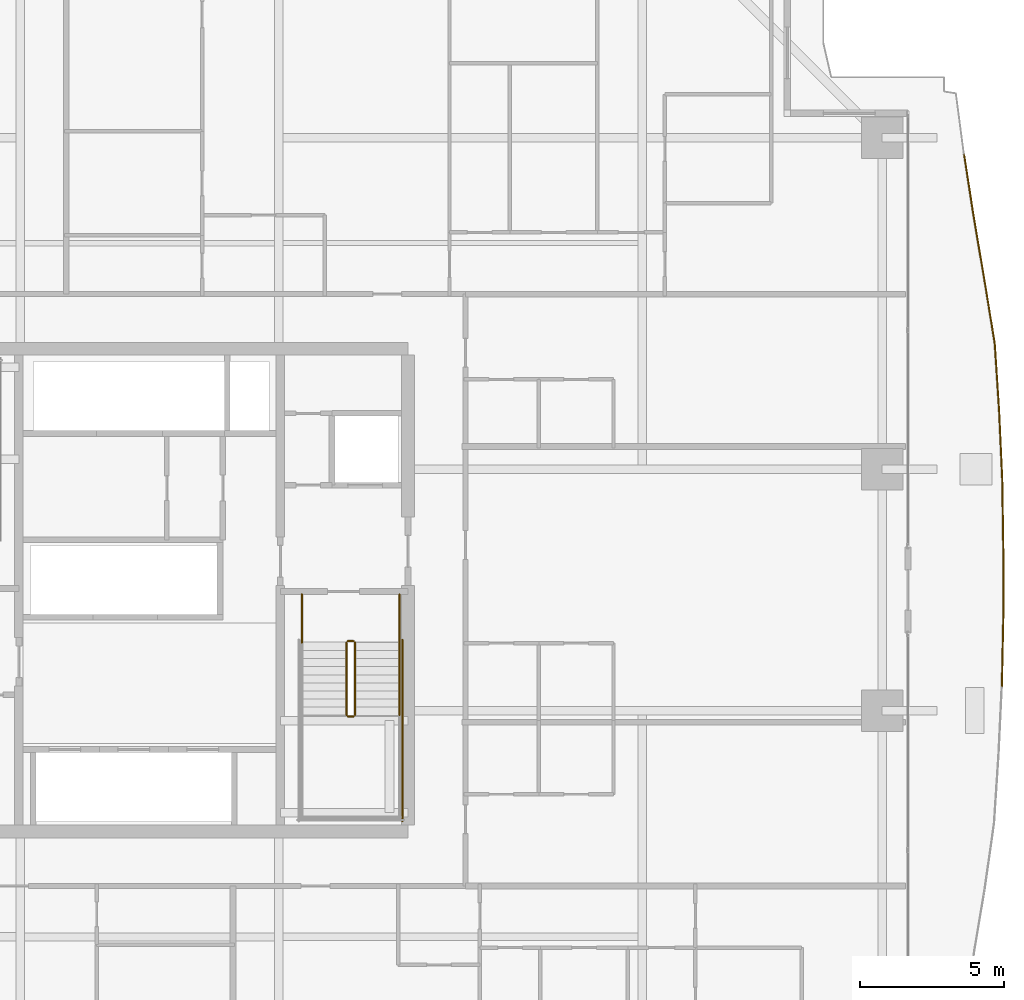
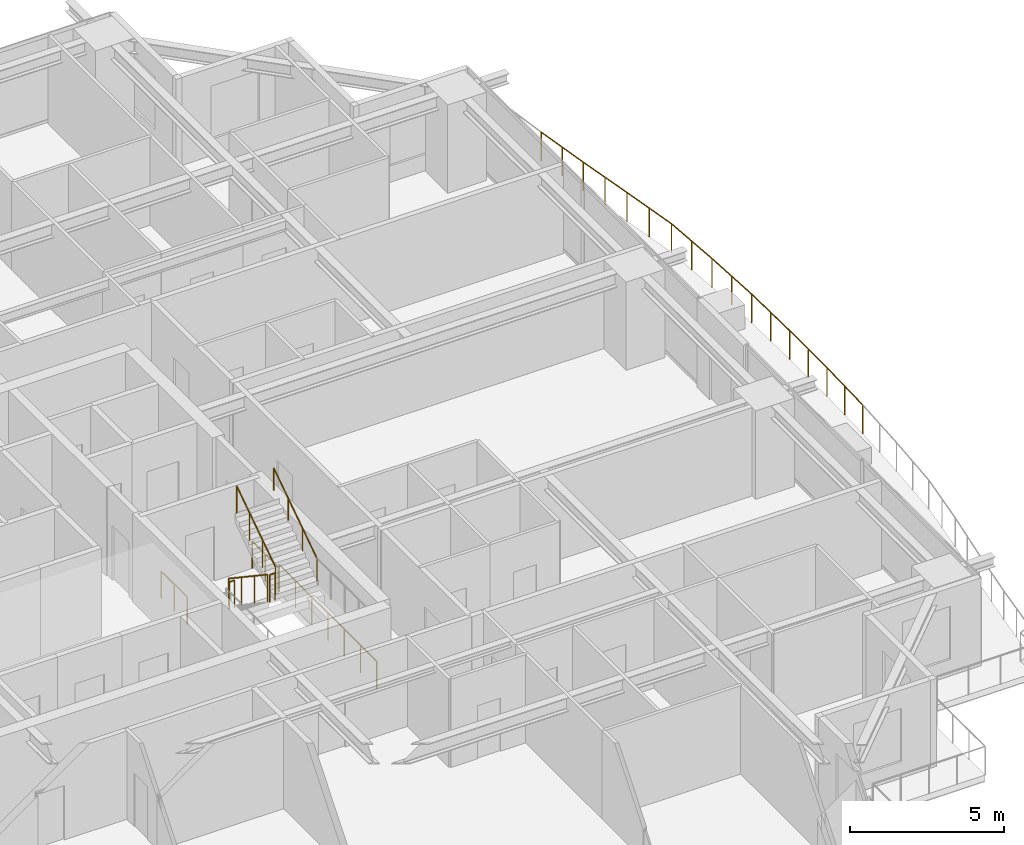
# One storey, part 37 of 38: 9 railings.
"""IFC4 building model written with IfcOpenShell, lengths in metres."""

from ifc_helpers import new_model, si_unit, direction, frame, origin, origin_2d, place, context, subcontext, project, spatial, circle, extrude, material, type_object, element, save


model = new_model("IFC4")

# Units and contexts
model_context = context("Model", 3, precision=1e-05, world=origin(), true_north=direction((0.0, 1.0)))
body_context = subcontext(model_context, "Body", "Model", "MODEL_VIEW")
ifc_project = project(units=[si_unit("LENGTHUNIT", "METRE"), si_unit("AREAUNIT", "SQUARE_METRE"), si_unit("VOLUMEUNIT", "CUBIC_METRE"), si_unit("PLANEANGLEUNIT", "RADIAN"), si_unit("MASSUNIT", "GRAM", prefix="KILO")], contexts=[model_context])

# Site, building, storey
site_placement = place(None, origin())
site = spatial("IfcSite", under=ifc_project, at=site_placement, CompositionType="ELEMENT")
building_placement = place(site_placement, origin())
building = spatial("IfcBuilding", under=site, at=building_placement, Name="Serunith Strait Residences", CompositionType="ELEMENT")
storey_placement = place(building_placement, frame((0.0, 0.0, 82.949951171875)))
storey = spatial("IfcBuildingStorey", under=building, at=storey_placement, Name="L20", CompositionType="ELEMENT", Elevation=82.949951171875)

# Railings
ifc_material_1 = material(Name="Stainless Steel & Laminated Glass Balustrade", Category="steel")
railing_type_1 = type_object("IfcRailingType", Name="RLG-BALC-1150", PredefinedType="BALUSTRADE", material=ifc_material_1)
railing_1_placement = place(storey_placement, frame((60.75390625, 40.370361328125, -0.050048828125)))
element("IfcRailing", 1, at=railing_1_placement, inside=storey, type_object=railing_type_1, Name="L20 Swirling Balcony Perimeter Balustrade 5", PredefinedType="BALUSTRADE", context=body_context, shape_type="SweptSolid", body=[
    extrude(circle(Radius=0.02392578125, at=origin_2d()), frame((0.000244140625, -0.001953125, 1.1259765625), z_axis=(0.15242829472, -0.988314532408, 0.0), x_axis=(0.988314532408, 0.15242829472, 0.0)), (0.0, 0.0, 1.0), 2.171142578125),
    extrude(circle(Radius=0.02392578125, at=origin_2d()), frame((0.331787109375, -2.151611328125, 1.1259765625), z_axis=(0.166823764153, -0.985986729989, 0.0), x_axis=(0.985986729989, 0.166823764153, 0.0)), (0.0, 0.0, 1.0), 2.216064453125),
    extrude(circle(Radius=0.02392578125, at=origin_2d()), frame((0.7021484375, -4.340576171875, 1.1259765625), z_axis=(0.160838142115, -0.986980796187, 0.0), x_axis=(0.986980796187, 0.160838142115, 0.0)), (0.0, 0.0, 1.0), 2.27587890625),
    extrude(circle(Radius=0.02392578125, at=origin_2d()), frame((1.06884765625, -6.5908203125, 1.1259765625), z_axis=(0.064877546344, -0.997893232756, 0.0), x_axis=(0.997893232756, 0.064877546344, 0.0)), (0.0, 0.0, 1.0), 2.35546875),
    extrude(circle(Radius=0.02392578125, at=origin_2d()), frame((1.2216796875, -8.9453125, 1.1259765625), z_axis=(0.045500421921, -0.998964319485, 0.0), x_axis=(0.998964319485, 0.045500421921, 0.0)), (0.0, 0.0, 1.0), 2.3837890625),
    extrude(circle(Radius=0.02392578125, at=origin_2d()), frame((1.330322265625, -11.33056640625, 1.1259765625), z_axis=(0.014917653777, -0.999888725612, 0.0), x_axis=(0.999888725612, 0.014917653777, 0.0)), (0.0, 0.0, 1.0), 2.40185546875),
    extrude(circle(Radius=0.02392578125, at=origin_2d()), frame((1.3662109375, -13.736083984375, 1.1259765625), z_axis=(0.0, -1.0, 0.0), x_axis=(1.0, 0.0, 0.0)), (0.0, 0.0, 1.0), 2.408447265625),
    extrude(circle(Radius=0.02392578125, at=origin_2d()), frame((1.3662109375, -16.1484375, 1.1259765625), z_axis=(-0.020807676838, -0.999783496855, 0.0), x_axis=(0.999783496855, -0.020807676838, 0.0)), (0.0, 0.0, 1.0), 2.4013671875),
    extrude(circle(Radius=0.02099609375, at=origin_2d()), origin(), (0.0, 0.0, 1.0), 1.099853515625),
    extrude(circle(Radius=0.02099609375, at=origin_2d()), frame((0.165771484375, -1.07470703125, 0.0)), (0.0, 0.0, 1.0), 1.099853515625),
    extrude(circle(Radius=0.02099609375, at=origin_2d()), frame((0.33154296875, -2.149658203125, 0.0)), (0.0, 0.0, 1.0), 1.099853515625),
    extrude(circle(Radius=0.02099609375, at=origin_2d()), frame((0.5166015625, -3.244140625, 0.0)), (0.0, 0.0, 1.0), 1.099853515625),
    extrude(circle(Radius=0.02099609375, at=origin_2d()), frame((0.701904296875, -4.338623046875, 0.0)), (0.0, 0.0, 1.0), 1.099853515625),
    extrude(circle(Radius=0.02099609375, at=origin_2d()), frame((0.88525390625, -5.4638671875, 0.0)), (0.0, 0.0, 1.0), 1.099853515625),
    extrude(circle(Radius=0.02099609375, at=origin_2d()), frame((1.068603515625, -6.5888671875, 0.0)), (0.0, 0.0, 1.0), 1.099853515625),
    extrude(circle(Radius=0.02099609375, at=origin_2d()), frame((1.14501953125, -7.76611328125, 0.0)), (0.0, 0.0, 1.0), 1.099853515625),
    extrude(circle(Radius=0.02099609375, at=origin_2d()), frame((1.2216796875, -8.943359375, 0.0)), (0.0, 0.0, 1.0), 1.099853515625),
    extrude(circle(Radius=0.02099609375, at=origin_2d()), frame((1.27587890625, -10.135986328125, 0.0)), (0.0, 0.0, 1.0), 1.099853515625),
    extrude(circle(Radius=0.02099609375, at=origin_2d()), frame((1.330322265625, -11.32861328125, 0.0)), (0.0, 0.0, 1.0), 1.099853515625),
    extrude(circle(Radius=0.02099609375, at=origin_2d()), frame((1.34814453125, -12.53125, 0.0)), (0.0, 0.0, 1.0), 1.099853515625),
    extrude(circle(Radius=0.02099609375, at=origin_2d()), frame((1.3662109375, -13.734130859375, 0.0)), (0.0, 0.0, 1.0), 1.099853515625),
    extrude(circle(Radius=0.02099609375, at=origin_2d()), frame((1.3662109375, -14.9404296875, 0.0)), (0.0, 0.0, 1.0), 1.099853515625),
    extrude(circle(Radius=0.02099609375, at=origin_2d()), frame((1.3662109375, -16.146484375, 0.0)), (0.0, 0.0, 1.0), 1.099853515625),
    extrude(circle(Radius=0.02099609375, at=origin_2d()), frame((1.34130859375, -17.348876953125, 0.0)), (0.0, 0.0, 1.0), 1.099853515625),
    extrude(circle(Radius=0.02099609375, at=origin_2d()), frame((1.316162109375, -18.55126953125, 0.0)), (0.0, 0.0, 1.0), 1.099853515625),
])
ifc_material_2 = material(Name="Brushed stainless steel 316L", Category="steel")
railing_type_2 = type_object("IfcRailingType", Name="RLG-STAIR-GUARD", PredefinedType="BALUSTRADE", material=ifc_material_2)
railing_2_placement = place(storey_placement, frame((39.25, 23.3701171875, 0.1875)))
element("IfcRailing", 2, at=railing_2_placement, inside=storey, type_object=railing_type_2, Name="L20 ST-2 stair guard 1", PredefinedType="BALUSTRADE", context=body_context, shape_type="SweptSolid", body=[
    extrude(circle(Radius=0.02392578125, at=origin_2d()), frame((0.0, -0.001708984375, 1.0771484375), z_axis=(0.0, -0.830909170722, 0.55640807867), x_axis=(1.0, 0.0, 0.0)), (0.0, 0.0, 1.0), 3.02880859375),
    extrude(circle(Radius=0.02099609375, at=origin_2d()), origin(), (0.0, 0.0, 1.0), 1.050048828125),
    extrude(circle(Radius=0.02099609375, at=origin_2d()), frame((0.0, -0.840087890625, 0.5625)), (0.0, 0.0, 1.0), 1.050048828125),
    extrude(circle(Radius=0.02099609375, at=origin_2d()), frame((0.0, -1.679931640625, 1.125)), (0.0, 0.0, 1.0), 1.050048828125),
    extrude(circle(Radius=0.02099609375, at=origin_2d()), frame((0.0, -2.52001953125, 1.6875)), (0.0, 0.0, 1.0), 1.050048828125),
])
railing_3_placement = place(storey_placement, frame((39.300048828125, 20.800048828125, 1.875)))
element("IfcRailing", 3, at=railing_3_placement, inside=storey, type_object=railing_type_2, Name="L20 ST-2 stair guard 2", PredefinedType="BALUSTRADE", context=body_context, shape_type="SweptSolid", body=[
    extrude(circle(Radius=0.02392578125, at=origin_2d()), frame((0.001953125, 0.0, 1.076171875), z_axis=(1.0, 0.0, 0.0), x_axis=(0.0, 1.0, 0.0)), (0.0, 0.0, 1.0), 0.196044921875),
    extrude(circle(Radius=0.02099609375, at=origin_2d()), origin(), (0.0, 0.0, 1.0), 1.050048828125),
    extrude(circle(Radius=0.02099609375, at=origin_2d()), frame((0.199951171875, 0.0, 0.0)), (0.0, 0.0, 1.0), 1.050048828125),
])
railing_4_placement = place(storey_placement, frame((39.550048828125, 20.85009765625, 2.0625)))
element("IfcRailing", 4, at=railing_4_placement, inside=storey, type_object=railing_type_2, Name="L20 ST-2 stair guard 6", PredefinedType="BALUSTRADE", context=body_context, shape_type="SweptSolid", body=[
    extrude(circle(Radius=0.02392578125, at=origin_2d()), frame((0.0, 0.001708984375, 1.0771484375), z_axis=(0.0, 0.830909170722, 0.55640807867), x_axis=(-1.0, 0.0, 0.0)), (0.0, 0.0, 1.0), 3.02880859375),
    extrude(circle(Radius=0.02099609375, at=origin_2d()), origin(), (0.0, 0.0, 1.0), 1.050048828125),
    extrude(circle(Radius=0.02099609375, at=origin_2d()), frame((0.0, 0.840087890625, 0.5625)), (0.0, 0.0, 1.0), 1.050048828125),
    extrude(circle(Radius=0.02099609375, at=origin_2d()), frame((0.0, 1.679931640625, 1.125)), (0.0, 0.0, 1.0), 1.050048828125),
    extrude(circle(Radius=0.02099609375, at=origin_2d()), frame((0.0, 2.52001953125, 1.6875)), (0.0, 0.0, 1.0), 1.050048828125),
])
railing_5_placement = place(storey_placement, frame((39.300048828125, 23.419921875, 0.0)))
element("IfcRailing", 5, at=railing_5_placement, inside=storey, type_object=railing_type_2, Name="L20 ST-2 stair guard 7", PredefinedType="BALUSTRADE", context=body_context, shape_type="SweptSolid", body=[
    extrude(circle(Radius=0.02392578125, at=origin_2d()), frame((0.001953125, 0.0, 1.076171875), z_axis=(1.0, 0.0, 0.0), x_axis=(0.0, 1.0, 0.0)), (0.0, 0.0, 1.0), 0.196044921875),
    extrude(circle(Radius=0.02099609375, at=origin_2d()), origin(), (0.0, 0.0, 1.0), 1.050048828125),
    extrude(circle(Radius=0.02099609375, at=origin_2d()), frame((0.199951171875, 0.0, 0.0)), (0.0, 0.0, 1.0), 1.050048828125),
])
for number, where, name in (
    (6, (37.699951171875, 25.050048828125, 0.0), "L20 ST-2 stair guard 8"),
    (7, (41.10009765625, 25.050048828125, 0.0), "L20 ST-2 stair guard 9"),
):
    element("IfcRailing", number, at=place(storey_placement, frame(where)), inside=storey, type_object=railing_type_2, Name=name, PredefinedType="BALUSTRADE", context=body_context, shape_type="SweptSolid", body=[
        extrude(circle(Radius=0.02392578125, at=origin_2d()), frame((0.0, -0.001953125, 1.076171875), z_axis=(0.0, -1.0, 0.0), x_axis=(1.0, 0.0, 0.0)), (0.0, 0.0, 1.0), 1.676025390625),
        extrude(circle(Radius=0.02099609375, at=origin_2d()), origin(), (0.0, 0.0, 1.0), 1.050048828125),
        extrude(circle(Radius=0.02099609375, at=origin_2d()), frame((0.0, -0.83984375, 0.0)), (0.0, 0.0, 1.0), 1.050048828125),
        extrude(circle(Radius=0.02099609375, at=origin_2d()), frame((0.0, -1.679931640625, 0.0)), (0.0, 0.0, 1.0), 1.050048828125),
    ])
railing_6_placement = place(storey_placement, frame((41.199951171875, 23.469970703125, 0.0)))
element("IfcRailing", 8, at=railing_6_placement, inside=storey, type_object=railing_type_2, Name="L20 ST-2 stair guard 11", PredefinedType="BALUSTRADE", context=body_context, shape_type="SweptSolid", body=[
    extrude(circle(Radius=0.02392578125, at=origin_2d()), frame((0.0, -0.001953125, 1.076171875), z_axis=(0.0, -1.0, 0.0), x_axis=(1.0, 0.0, 0.0)), (0.0, 0.0, 1.0), 6.316162109375),
    extrude(circle(Radius=0.02099609375, at=origin_2d()), origin(), (0.0, 0.0, 1.0), 1.050048828125),
    extrude(circle(Radius=0.02099609375, at=origin_2d()), frame((0.0, -1.05322265625, 0.0)), (0.0, 0.0, 1.0), 1.050048828125),
    extrude(circle(Radius=0.02099609375, at=origin_2d()), frame((0.0, -2.106689453125, 0.0)), (0.0, 0.0, 1.0), 1.050048828125),
    extrude(circle(Radius=0.02099609375, at=origin_2d()), frame((0.0, -3.16015625, 0.0)), (0.0, 0.0, 1.0), 1.050048828125),
    extrude(circle(Radius=0.02099609375, at=origin_2d()), frame((0.0, -4.21337890625, 0.0)), (0.0, 0.0, 1.0), 1.050048828125),
    extrude(circle(Radius=0.02099609375, at=origin_2d()), frame((0.0, -5.2666015625, 0.0)), (0.0, 0.0, 1.0), 1.050048828125),
    extrude(circle(Radius=0.02099609375, at=origin_2d()), frame((0.0, -6.320068359375, 0.0)), (0.0, 0.0, 1.0), 1.050048828125),
])
railing_type_3 = type_object("IfcRailingType", Name="RLG-STAIR-HR", PredefinedType="HANDRAIL", material=ifc_material_2)
railing_7_placement = place(storey_placement, frame((41.10009765625, 20.85009765625, 2.0625)))
element("IfcRailing", 9, at=railing_7_placement, inside=storey, type_object=railing_type_3, Name="L20 ST-2 stair handrail 2", PredefinedType="HANDRAIL", context=body_context, shape_type="SweptSolid", body=[
    extrude(circle(Radius=0.02392578125, at=origin_2d()), frame((0.0, 0.001708984375, 0.876953125), z_axis=(0.0, 0.830185712471, 0.557486935101), x_axis=(-1.0, 0.0, 0.0)), (0.0, 0.0, 1.0), 3.368408203125),
    extrude(circle(Radius=0.02099609375, at=origin_2d()), origin(), (0.0, 0.0, 1.0), 0.849853515625),
    extrude(circle(Radius=0.02099609375, at=origin_2d()), frame((0.0, 0.933349609375, 0.626708984375)), (0.0, 0.0, 1.0), 0.849853515625),
    extrude(circle(Radius=0.02099609375, at=origin_2d()), frame((0.0, 1.866455078125, 1.25341796875)), (0.0, 0.0, 1.0), 0.849853515625),
    extrude(circle(Radius=0.02099609375, at=origin_2d()), frame((0.0, 2.7998046875, 1.880126953125)), (0.0, 0.0, 1.0), 0.849853515625),
])

save(model, "model.ifc")
